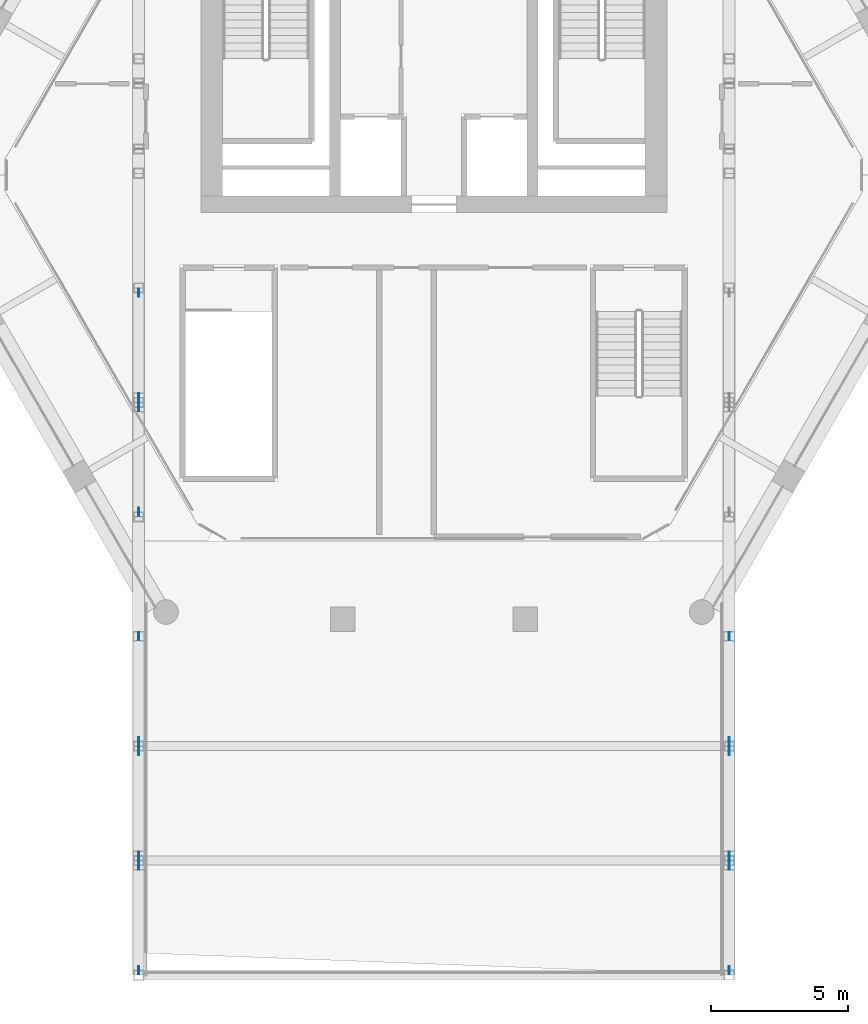
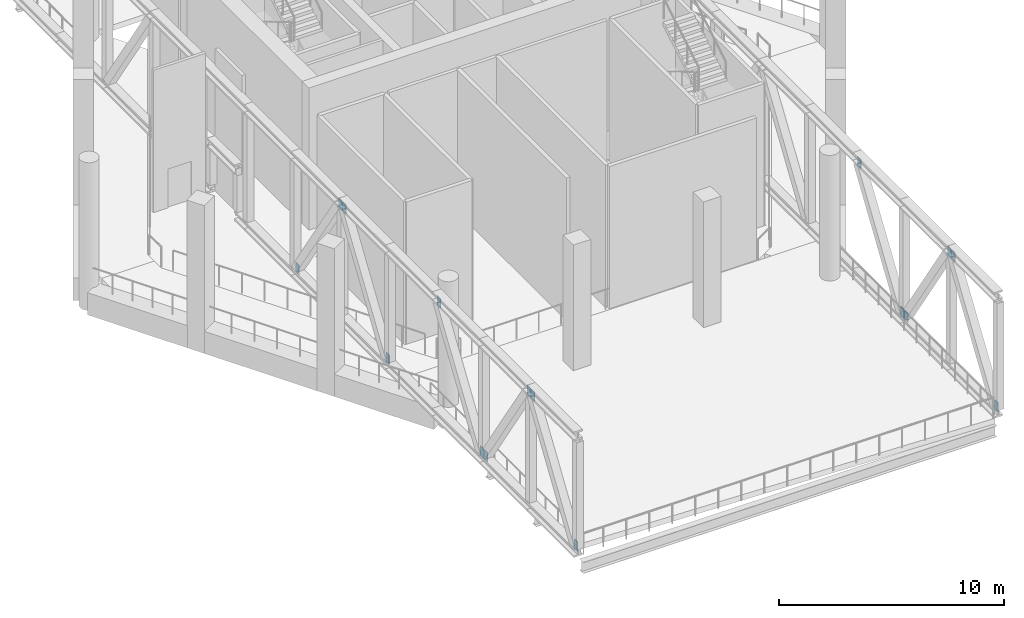
# One storey, part 8 of 14: 16 discrete accessories.
"""IFC4 building model written with IfcOpenShell, lengths in metres."""

from ifc_helpers import new_model, si_unit, direction, frame, origin, origin_2d, place, context, subcontext, project, spatial, rectangle, extrude, material, layer, layer_set, type_object, element, save


model = new_model("IFC4")

# Units and contexts
model_context = context("Model", 3, precision=1e-05, world=origin(), true_north=direction((0.0, 1.0)))
body_context = subcontext(model_context, "Body", "Model", "MODEL_VIEW")
ifc_project = project(units=[si_unit("LENGTHUNIT", "METRE"), si_unit("AREAUNIT", "SQUARE_METRE"), si_unit("VOLUMEUNIT", "CUBIC_METRE"), si_unit("PLANEANGLEUNIT", "RADIAN"), si_unit("MASSUNIT", "GRAM", prefix="KILO")], contexts=[model_context])

# Site, building, storey
site_placement = place(None, origin())
site = spatial("IfcSite", under=ifc_project, at=site_placement, CompositionType="ELEMENT")
building_placement = place(site_placement, origin())
building = spatial("IfcBuilding", under=site, at=building_placement, Name="Ostrander Bayou Hotel Tower", CompositionType="ELEMENT")
storey_placement = place(building_placement, frame((0.0, 0.0, 237.0)))
storey = spatial("IfcBuildingStorey", under=building, at=storey_placement, Name="L59", CompositionType="ELEMENT", Elevation=237.0)

# Discrete accessories
ifc_material = material(Name="Steel ASTM A572 Gr 50", Category="steel")
ifc_layer = layer(ifc_material, 0.030029296875)
ifc_layer_set = layer_set([ifc_layer], Name="GP1 gusset plate 30 mm")
discrete_accessory_type = type_object("IfcDiscreteAccessoryType", Name="GP1 gusset plate 30 mm", PredefinedType="BRACKET", material=ifc_layer_set)
for number, where, z_axis, x_axis, name in (
    (1, (-10.764892578125, -4.62060546875, 0.247802734375), (0.0, 0.0, 1.0), (0.0, -1.0, 0.0), "GP1 gusset plate bar 229"),
    (2, (-10.764892578125, -8.44140625, 6.05224609375), (0.0, 0.0, 1.0), (0.0, -1.0, 0.0), "GP1 gusset plate bar 230"),
    (3, (-10.764892578125, -12.617431640625, 0.247802734375), (0.0, 0.0, 1.0), (0.0, 1.0, 0.0), "GP1 gusset plate bar 231"),
    (4, (-10.764892578125, -8.796875, 6.05224609375), (0.0, 0.0, 1.0), (0.0, 1.0, 0.0), "GP1 gusset plate bar 232"),
    (5, (-10.764892578125, -20.9697265625, 0.247802734375), (0.0, 0.0, 1.0), (0.0, 1.0, 0.0), "GP1 gusset plate bar 233"),
    (6, (-10.764892578125, -17.149169921875, 6.05224609375), (0.0, 0.0, 1.0), (0.0, 1.0, 0.0), "GP1 gusset plate bar 234"),
    (7, (-10.764892578125, -21.325439453125, 0.247802734375), (0.0, 0.0, 1.0), (0.0, -1.0, 0.0), "GP1 gusset plate bar 235"),
    (8, (-10.764892578125, -25.14599609375, 6.05224609375), (0.0, 0.0, 1.0), (0.0, -1.0, 0.0), "GP1 gusset plate bar 236"),
    (9, (-10.764892578125, -29.322265625, 0.247802734375), (0.0, 0.0, 1.0), (0.0, 1.0, 0.0), "GP1 gusset plate bar 237"),
    (10, (-10.764892578125, -25.501708984375, 6.05224609375), (0.0, 0.0, 1.0), (0.0, 1.0, 0.0), "GP1 gusset plate bar 238"),
    (11, (10.764892578125, -20.9697265625, 0.247802734375), (0.0, 0.0, 1.0), (0.0, 1.0, 0.0), "GP1 gusset plate bar 255"),
    (12, (10.764892578125, -17.149169921875, 6.05224609375), (0.0, 0.0, 1.0), (0.0, 1.0, 0.0), "GP1 gusset plate bar 256"),
    (13, (10.764892578125, -21.325439453125, 0.247802734375), (0.0, 0.0, 1.0), (0.0, -1.0, 0.0), "GP1 gusset plate bar 257"),
    (14, (10.764892578125, -25.14599609375, 6.05224609375), (0.0, 0.0, 1.0), (0.0, -1.0, 0.0), "GP1 gusset plate bar 258"),
    (15, (10.764892578125, -29.322265625, 0.247802734375), (0.0, 0.0, 1.0), (0.0, 1.0, 0.0), "GP1 gusset plate bar 259"),
    (16, (10.764892578125, -25.501708984375, 6.05224609375), (0.0, 0.0, 1.0), (0.0, 1.0, 0.0), "GP1 gusset plate bar 260"),
):
    element("IfcDiscreteAccessory", number, at=place(storey_placement, frame(where, z_axis=z_axis, x_axis=x_axis)), inside=storey, type_object=discrete_accessory_type, Name=name, PredefinedType="BRACKET", context=body_context, shape_type="SweptSolid", body=[
        extrude(rectangle(XDim=0.300048828125, YDim=0.030029296875, at=origin_2d()), origin(), (0.0, 0.0, 1.0), 0.5),
    ])

save(model, "model.ifc")
